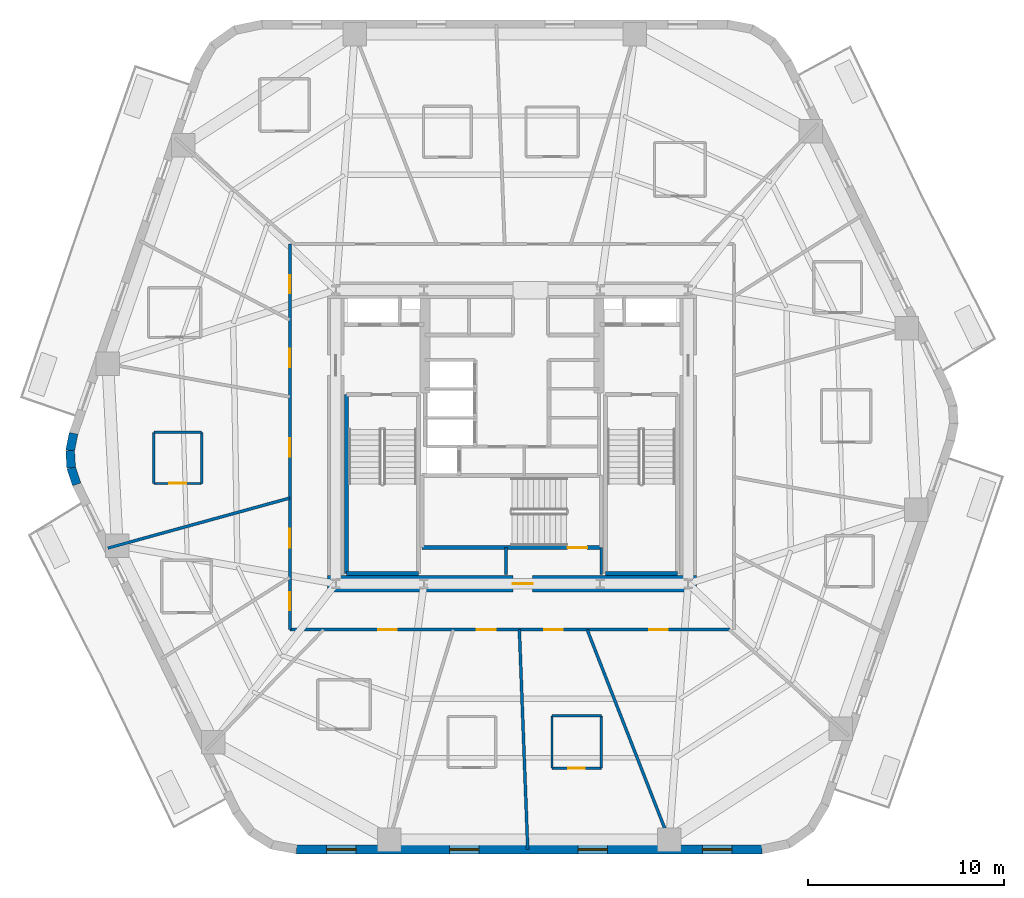
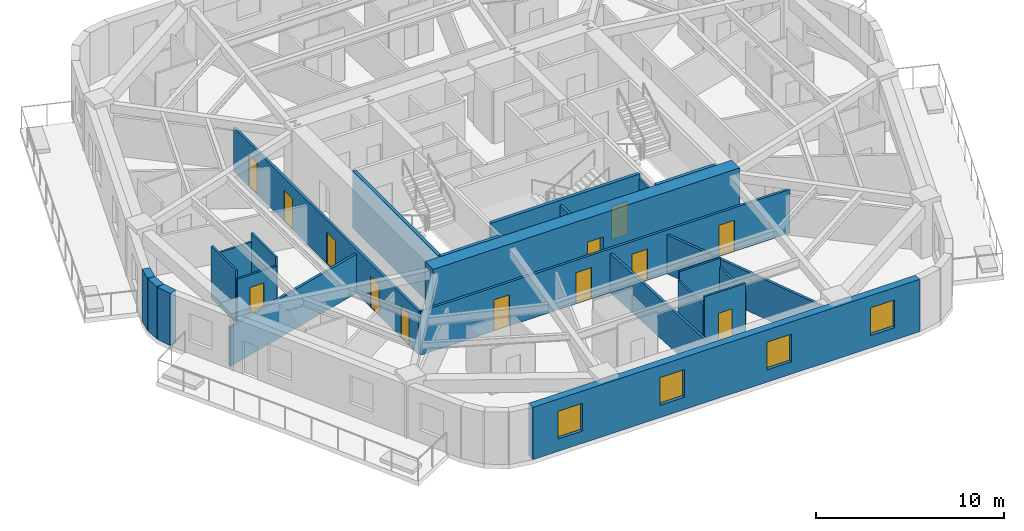
# One storey, part 3 of 10: 24 walls, 13 doors, 4 windows, 17 openings.
"""IFC4 building model written with IfcOpenShell, lengths in metres."""

from ifc_helpers import new_model, si_unit, direction, frame, frame_2d, origin, place, context, subcontext, project, spatial, rectangle, extrude, material, layer, layer_set, type_object, element, fill, save


model = new_model("IFC4")

# Units and contexts
model_context = context("Model", 3, precision=1e-05, world=origin(), true_north=direction((0.0, 1.0)))
body_context = subcontext(model_context, "Body", "Model", "MODEL_VIEW")
ifc_project = project(units=[si_unit("LENGTHUNIT", "METRE"), si_unit("AREAUNIT", "SQUARE_METRE"), si_unit("VOLUMEUNIT", "CUBIC_METRE"), si_unit("PLANEANGLEUNIT", "RADIAN"), si_unit("MASSUNIT", "GRAM", prefix="KILO")], contexts=[model_context])

# Site, building, storey
site_placement = place(None, origin())
site = spatial("IfcSite", under=ifc_project, at=site_placement, CompositionType="ELEMENT")
building_placement = place(site_placement, origin())
building = spatial("IfcBuilding", under=site, at=building_placement, Name="Kilnhurst Terrace Hotel", CompositionType="ELEMENT")
storey_placement = place(building_placement, frame((0.0, 0.0, 117.300048828125)))
storey = spatial("IfcBuildingStorey", under=building, at=storey_placement, Name="L28", CompositionType="ELEMENT", Elevation=117.300048828125)

# Walls
ifc_material_1 = material(Name="Precast concrete C40/50", Category="concrete")
ifc_layer_1 = layer(ifc_material_1, 0.449951171875, Name="Precast concrete C40/50")
ifc_layer_set_1 = layer_set([ifc_layer_1], Name="Precast concrete C40/50")
wall_type_1 = type_object("IfcWallType", Name="WL-BRK-450", PredefinedType="SOLIDWALL", material=ifc_layer_set_1)
wall_1_placement = place(storey_placement, frame((-22.39697265625, 0.17919921875, 0.0), z_axis=(0.0, 0.0, 1.0), x_axis=(-0.199313589404, -0.979935759669, 0.0)))
element("IfcWall", 1, at=wall_1_placement, inside=storey, type_object=wall_type_1, Name="L28 Rounded Corner Brick Wall C6.1", PredefinedType="SOLIDWALL", context=body_context, shape_type="SweptSolid", body=[
    extrude(rectangle(XDim=0.8955078125, YDim=0.449951171875, at=frame_2d((0.44775390625, 0.0))), origin(), (0.0, 0.0, 1.0), 3.39990234375),
])
wall_2_placement = place(storey_placement, frame((-22.575439453125, -0.6982421875, 0.0), z_axis=(0.0, 0.0, 1.0), x_axis=(0.060980441946, -0.998138961117, 0.0)))
element("IfcWall", 2, at=wall_2_placement, inside=storey, type_object=wall_type_1, Name="L28 Rounded Corner Brick Wall C6.2", PredefinedType="SOLIDWALL", context=body_context, shape_type="SweptSolid", body=[
    extrude(rectangle(XDim=0.880859375, YDim=0.449951171875, at=frame_2d((0.4404296875, 0.0))), origin(), (0.0, 0.0, 1.0), 3.39990234375),
])
wall_3_placement = place(storey_placement, frame((-22.521728515625, -1.577392578125, 0.0), z_axis=(0.0, 0.0, 1.0), x_axis=(0.317372694837, -0.948300887151, 0.0)))
element("IfcWall", 3, at=wall_3_placement, inside=storey, type_object=wall_type_1, Name="L28 Rounded Corner Brick Wall C6.3", PredefinedType="SOLIDWALL", context=body_context, shape_type="SweptSolid", body=[
    extrude(rectangle(XDim=0.8955078125, YDim=0.449951171875, at=frame_2d((0.44775390625, 0.0))), origin(), (0.0, 0.0, 1.0), 3.39990234375),
])

# Wall, openings, windows
wall_4_placement = place(storey_placement, frame((-11.011962890625, -21.074951171875, 0.0), z_axis=(0.0, 0.0, 1.0), x_axis=(1.0, 0.0, 0.0)))
wall_4 = element("IfcWall", 4, at=wall_4_placement, inside=storey, type_object=wall_type_1, Name="L28 Exterior Brick Facade Wall F1", PredefinedType="SOLIDWALL", context=body_context, shape_type="SweptSolid", body=[
    extrude(rectangle(XDim=23.782470703125, YDim=0.449951171875, at=frame_2d((11.89111328125, 0.0))), origin(), (0.0, 0.0, 1.0), 3.39990234375),
])
opening_1_placement = place(wall_4_placement, frame((1.5419921875, 0.0, 0.800048828125)))
opening_1 = element("IfcOpeningElement", 5, at=opening_1_placement, cuts=wall_4, Name="Opening W-02", PredefinedType="OPENING", context=body_context, shape_type="SweptSolid", body=[
    extrude(rectangle(XDim=1.5, YDim=1.800048828125, at=frame_2d((0.75, 0.89990234375))), frame((0.0, 0.23486328125, 0.0), z_axis=(0.0, -1.0, 0.0), x_axis=(1.0, 0.0, 0.0)), (0.0, 0.0, 1.0), 0.469970703125),
])
opening_2_placement = place(wall_4_placement, frame((7.820068359375, 0.0, 0.800048828125)))
opening_2 = element("IfcOpeningElement", 6, at=opening_2_placement, cuts=wall_4, Name="Opening W-02", PredefinedType="OPENING", context=body_context, shape_type="SweptSolid", body=[
    extrude(rectangle(XDim=1.5, YDim=1.800048828125, at=frame_2d((0.75, 0.89990234375))), frame((0.0, 0.23486328125, 0.0), z_axis=(0.0, -1.0, 0.0), x_axis=(1.0, 0.0, 0.0)), (0.0, 0.0, 1.0), 0.469970703125),
])
opening_3_placement = place(wall_4_placement, frame((14.387939453125, 0.0, 0.800048828125)))
opening_3 = element("IfcOpeningElement", 7, at=opening_3_placement, cuts=wall_4, Name="Opening W-02", PredefinedType="OPENING", context=body_context, shape_type="SweptSolid", body=[
    extrude(rectangle(XDim=1.5, YDim=1.800048828125, at=frame_2d((0.75, 0.89990234375))), frame((0.0, 0.23486328125, 0.0), z_axis=(0.0, -1.0, 0.0), x_axis=(1.0, 0.0, 0.0)), (0.0, 0.0, 1.0), 0.469970703125),
])
opening_4_placement = place(wall_4_placement, frame((20.740966796875, 0.0, 0.800048828125)))
opening_4 = element("IfcOpeningElement", 8, at=opening_4_placement, cuts=wall_4, Name="Opening W-02", PredefinedType="OPENING", context=body_context, shape_type="SweptSolid", body=[
    extrude(rectangle(XDim=1.5, YDim=1.800048828125, at=frame_2d((0.75, 0.89990234375))), frame((0.0, 0.23486328125, 0.0), z_axis=(0.0, -1.0, 0.0), x_axis=(1.0, 0.0, 0.0)), (0.0, 0.0, 1.0), 0.469970703125),
])
ifc_material_2 = material(Name="Thermally Broken Bronze Aluminium Alloy 6063-T6 and Low-E Glass", Category="aluminium")
window_type = type_object("IfcWindowType", Name="WIN-1500X1800", PartitioningType="SINGLE_PANEL", PredefinedType="WINDOW", material=ifc_material_2)
window_1_placement = place(opening_1_placement, origin())
window_1 = element("IfcWindow", 9, at=window_1_placement, inside=storey, type_object=window_type, Name="L28 Deep-Set Masonry Window F1.1", OverallHeight=1.800048828125, OverallWidth=1.5, PartitioningType="SINGLE_PANEL", PredefinedType="WINDOW", context=body_context, shape_type="SweptSolid", body=[
    extrude(rectangle(XDim=1.5, YDim=1.800048828125, at=frame_2d((0.75, 0.89990234375))), frame((0.0, 0.030029296875, 0.0), z_axis=(0.0, -1.0, 0.0), x_axis=(1.0, 0.0, 0.0)), (0.0, 0.0, 1.0), 0.06005859375),
])
fill(opening_1, window_1)
window_2_placement = place(opening_2_placement, origin())
window_2 = element("IfcWindow", 10, at=window_2_placement, inside=storey, type_object=window_type, Name="L28 Deep-Set Masonry Window F1.2", OverallHeight=1.800048828125, OverallWidth=1.5, PartitioningType="SINGLE_PANEL", PredefinedType="WINDOW", context=body_context, shape_type="SweptSolid", body=[
    extrude(rectangle(XDim=1.5, YDim=1.800048828125, at=frame_2d((0.75, 0.89990234375))), frame((0.0, 0.030029296875, 0.0), z_axis=(0.0, -1.0, 0.0), x_axis=(1.0, 0.0, 0.0)), (0.0, 0.0, 1.0), 0.06005859375),
])
fill(opening_2, window_2)
window_3_placement = place(opening_3_placement, origin())
window_3 = element("IfcWindow", 11, at=window_3_placement, inside=storey, type_object=window_type, Name="L28 Deep-Set Masonry Window F1.3", OverallHeight=1.800048828125, OverallWidth=1.5, PartitioningType="SINGLE_PANEL", PredefinedType="WINDOW", context=body_context, shape_type="SweptSolid", body=[
    extrude(rectangle(XDim=1.5, YDim=1.800048828125, at=frame_2d((0.75, 0.89990234375))), frame((0.0, 0.030029296875, 0.0), z_axis=(0.0, -1.0, 0.0), x_axis=(1.0, 0.0, 0.0)), (0.0, 0.0, 1.0), 0.06005859375),
])
fill(opening_3, window_3)
window_4_placement = place(opening_4_placement, origin())
window_4 = element("IfcWindow", 12, at=window_4_placement, inside=storey, type_object=window_type, Name="L28 Deep-Set Masonry Window F1.4", OverallHeight=1.800048828125, OverallWidth=1.5, PartitioningType="SINGLE_PANEL", PredefinedType="WINDOW", context=body_context, shape_type="SweptSolid", body=[
    extrude(rectangle(XDim=1.5, YDim=1.800048828125, at=frame_2d((0.75, 0.89990234375))), frame((0.0, 0.030029296875, 0.0), z_axis=(0.0, -1.0, 0.0), x_axis=(1.0, 0.0, 0.0)), (0.0, 0.0, 1.0), 0.06005859375),
])
fill(opening_4, window_4)

# Wall, openings, doors
ifc_material_3 = material(Name="Acoustic Double-Gypsum Corridor Partition Assembly")
ifc_layer_2 = layer(ifc_material_3, 0.14990234375, Name="Acoustic Double-Gypsum Corridor Partition Assembly")
ifc_layer_set_2 = layer_set([ifc_layer_2], Name="Acoustic Double-Gypsum Corridor Partition Assembly")
wall_type_2 = type_object("IfcWallType", Name="WL-COR-150", PredefinedType="PARTITIONING", material=ifc_layer_set_2)
wall_5_placement = place(storey_placement, frame((-11.35009765625, -9.85009765625, 0.0), z_axis=(0.0, 0.0, 1.0), x_axis=(0.0, 1.0, 0.0)))
wall_5 = element("IfcWall", 13, at=wall_5_placement, inside=storey, type_object=wall_type_2, Name="L28 Interior Wall WL-L28-COR-01", PredefinedType="PARTITIONING", context=body_context, shape_type="SweptSolid", body=[
    extrude(rectangle(XDim=19.7001953125, YDim=0.14990234375, at=frame_2d((9.85009765625, 0.0))), origin(), (0.0, 0.0, 1.0), 2.83984375),
])
opening_5_placement = place(wall_5_placement, frame((17.197021484375, 0.0, 0.0)))
opening_5 = element("IfcOpeningElement", 14, at=opening_5_placement, cuts=wall_5, Name="Opening D-60C", PredefinedType="OPENING", context=body_context, shape_type="SweptSolid", body=[
    extrude(rectangle(XDim=0.89990234375, YDim=2.030029296875, at=frame_2d((0.449951171875, 1.01513671875))), frame((0.0, 0.0849609375, 0.0), z_axis=(0.0, -1.0, 0.0), x_axis=(1.0, 0.0, 0.0)), (0.0, 0.0, 1.0), 0.169921875),
])
opening_6_placement = place(wall_5_placement, frame((13.407958984375, 0.0, 0.0)))
opening_6 = element("IfcOpeningElement", 15, at=opening_6_placement, cuts=wall_5, Name="Opening D-60B", PredefinedType="OPENING", context=body_context, shape_type="SweptSolid", body=[
    extrude(rectangle(XDim=0.949951171875, YDim=2.030029296875, at=frame_2d((0.47509765625, 1.01513671875))), frame((0.0, 0.0849609375, 0.0), z_axis=(0.0, -1.0, 0.0), x_axis=(1.0, 0.0, 0.0)), (0.0, 0.0, 1.0), 0.169921875),
])
opening_7_placement = place(wall_5_placement, frame((8.8359375, 0.0, 0.0)))
opening_7 = element("IfcOpeningElement", 16, at=opening_7_placement, cuts=wall_5, Name="Opening D-60B", PredefinedType="OPENING", context=body_context, shape_type="SweptSolid", body=[
    extrude(rectangle(XDim=0.949951171875, YDim=2.030029296875, at=frame_2d((0.47509765625, 1.01513671875))), frame((0.0, 0.0849609375, 0.0), z_axis=(0.0, -1.0, 0.0), x_axis=(1.0, 0.0, 0.0)), (0.0, 0.0, 1.0), 0.169921875),
])
opening_8_placement = place(wall_5_placement, frame((4.198974609375, 0.0, 0.0)))
opening_8 = element("IfcOpeningElement", 17, at=opening_8_placement, cuts=wall_5, Name="Opening D-60B", PredefinedType="OPENING", context=body_context, shape_type="SweptSolid", body=[
    extrude(rectangle(XDim=0.949951171875, YDim=2.030029296875, at=frame_2d((0.47509765625, 1.01513671875))), frame((0.0, 0.0849609375, 0.0), z_axis=(0.0, -1.0, 0.0), x_axis=(1.0, 0.0, 0.0)), (0.0, 0.0, 1.0), 0.169921875),
])
opening_9_placement = place(wall_5_placement, frame((1.001953125, 0.0, 0.0)))
opening_9 = element("IfcOpeningElement", 18, at=opening_9_placement, cuts=wall_5, Name="Opening D-60C", PredefinedType="OPENING", context=body_context, shape_type="SweptSolid", body=[
    extrude(rectangle(XDim=0.89990234375, YDim=2.030029296875, at=frame_2d((0.449951171875, 1.01513671875))), frame((0.0, 0.0849609375, 0.0), z_axis=(0.0, -1.0, 0.0), x_axis=(1.0, 0.0, 0.0)), (0.0, 0.0, 1.0), 0.169921875),
])
ifc_material_4 = material(Name="Painted Solid-Core Service Fire Door")
door_type_1 = type_object("IfcDoorType", Name="DR-FD60-900", OperationType="NOTDEFINED", PredefinedType="DOOR", material=ifc_material_4)
door_1_placement = place(opening_5_placement, origin())
door_1 = element("IfcDoor", 19, at=door_1_placement, inside=storey, type_object=door_type_1, Name="L28 Executive Work Office Door 7", OperationType="SINGLE_SWING_LEFT", OverallHeight=2.030029296875, OverallWidth=0.89990234375, PredefinedType="DOOR", context=body_context, shape_type="SweptSolid", body=[
    extrude(rectangle(XDim=0.89990234375, YDim=2.030029296875, at=frame_2d((0.449951171875, 1.01513671875))), frame((0.0, 0.02490234375, 0.0), z_axis=(0.0, -1.0, 0.0), x_axis=(1.0, 0.0, 0.0)), (0.0, 0.0, 1.0), 0.050048828125),
])
fill(opening_5, door_1)
door_2_placement = place(opening_9_placement, origin())
door_2 = element("IfcDoor", 20, at=door_2_placement, inside=storey, type_object=door_type_1, Name="L28 Botanical Reading Lounge Door 11", OperationType="SINGLE_SWING_LEFT", OverallHeight=2.030029296875, OverallWidth=0.89990234375, PredefinedType="DOOR", context=body_context, shape_type="SweptSolid", body=[
    extrude(rectangle(XDim=0.89990234375, YDim=2.030029296875, at=frame_2d((0.449951171875, 1.01513671875))), frame((0.0, 0.02490234375, 0.0), z_axis=(0.0, -1.0, 0.0), x_axis=(1.0, 0.0, 0.0)), (0.0, 0.0, 1.0), 0.050048828125),
])
fill(opening_9, door_2)
ifc_material_5 = material(Name="Acoustic Walnut Veneer Solid-Core Fire Door")
door_type_2 = type_object("IfcDoorType", Name="DR-FD60-950", OperationType="NOTDEFINED", PredefinedType="DOOR", material=ifc_material_5)
door_3_placement = place(opening_6_placement, origin())
door_3 = element("IfcDoor", 21, at=door_3_placement, inside=storey, type_object=door_type_2, Name="L28 Guest Room Entry Door 8", OperationType="SINGLE_SWING_RIGHT", OverallHeight=2.030029296875, OverallWidth=0.949951171875, PredefinedType="DOOR", context=body_context, shape_type="SweptSolid", body=[
    extrude(rectangle(XDim=0.949951171875, YDim=2.030029296875, at=frame_2d((0.47509765625, 1.01513671875))), frame((0.0, 0.02490234375, 0.0), z_axis=(0.0, -1.0, 0.0), x_axis=(1.0, 0.0, 0.0)), (0.0, 0.0, 1.0), 0.050048828125),
])
fill(opening_6, door_3)
door_4_placement = place(opening_7_placement, origin())
door_4 = element("IfcDoor", 22, at=door_4_placement, inside=storey, type_object=door_type_2, Name="L28 Executive Suite Entry Door 9", OperationType="SINGLE_SWING_LEFT", OverallHeight=2.030029296875, OverallWidth=0.949951171875, PredefinedType="DOOR", context=body_context, shape_type="SweptSolid", body=[
    extrude(rectangle(XDim=0.949951171875, YDim=2.030029296875, at=frame_2d((0.47509765625, 1.01513671875))), frame((0.0, 0.02490234375, 0.0), z_axis=(0.0, -1.0, 0.0), x_axis=(1.0, 0.0, 0.0)), (0.0, 0.0, 1.0), 0.050048828125),
])
fill(opening_7, door_4)
door_5_placement = place(opening_8_placement, origin())
door_5 = element("IfcDoor", 23, at=door_5_placement, inside=storey, type_object=door_type_2, Name="L28 Guest Room Entry Door 10", OperationType="SINGLE_SWING_RIGHT", OverallHeight=2.030029296875, OverallWidth=0.949951171875, PredefinedType="DOOR", context=body_context, shape_type="SweptSolid", body=[
    extrude(rectangle(XDim=0.949951171875, YDim=2.030029296875, at=frame_2d((0.47509765625, 1.01513671875))), frame((0.0, 0.02490234375, 0.0), z_axis=(0.0, -1.0, 0.0), x_axis=(1.0, 0.0, 0.0)), (0.0, 0.0, 1.0), 0.050048828125),
])
fill(opening_8, door_5)

wall_6_placement = place(storey_placement, frame((11.35009765625, -9.85009765625, 0.0), z_axis=(0.0, 0.0, 1.0), x_axis=(-1.0, 0.0, 0.0)))
wall_6 = element("IfcWall", 24, at=wall_6_placement, inside=storey, type_object=wall_type_2, Name="L28 Interior Wall WL-L28-COR-04", PredefinedType="PARTITIONING", context=body_context, shape_type="SweptSolid", body=[
    extrude(rectangle(XDim=22.7001953125, YDim=0.14990234375, at=frame_2d((11.35009765625, 0.0))), origin(), (0.0, 0.0, 1.0), 2.83984375),
])
opening_10_placement = place(wall_6_placement, frame((17.237060546875, 0.0, 0.0)))
opening_10 = element("IfcOpeningElement", 25, at=opening_10_placement, cuts=wall_6, Name="Opening D-60B", PredefinedType="OPENING", context=body_context, shape_type="SweptSolid", body=[
    extrude(rectangle(XDim=0.949951171875, YDim=2.030029296875, at=frame_2d((0.47509765625, 1.01513671875))), frame((0.0, 0.0849609375, 0.0), z_axis=(0.0, -1.0, 0.0), x_axis=(1.0, 0.0, 0.0)), (0.0, 0.0, 1.0), 0.169921875),
])
opening_11_placement = place(wall_6_placement, frame((12.19189453125, 0.0, 0.0)))
opening_11 = element("IfcOpeningElement", 26, at=opening_11_placement, cuts=wall_6, Name="Opening D-60B", PredefinedType="OPENING", context=body_context, shape_type="SweptSolid", body=[
    extrude(rectangle(XDim=0.949951171875, YDim=2.030029296875, at=frame_2d((0.47509765625, 1.01513671875))), frame((0.0, 0.0849609375, 0.0), z_axis=(0.0, -1.0, 0.0), x_axis=(1.0, 0.0, 0.0)), (0.0, 0.0, 1.0), 0.169921875),
])
opening_12_placement = place(wall_6_placement, frame((8.757080078125, 0.0, 0.0)))
opening_12 = element("IfcOpeningElement", 27, at=opening_12_placement, cuts=wall_6, Name="Opening D-60B", PredefinedType="OPENING", context=body_context, shape_type="SweptSolid", body=[
    extrude(rectangle(XDim=0.949951171875, YDim=2.030029296875, at=frame_2d((0.47509765625, 1.01513671875))), frame((0.0, 0.0849609375, 0.0), z_axis=(0.0, -1.0, 0.0), x_axis=(1.0, 0.0, 0.0)), (0.0, 0.0, 1.0), 0.169921875),
])
opening_13_placement = place(wall_6_placement, frame((3.39892578125, 0.0, 0.0)))
opening_13 = element("IfcOpeningElement", 28, at=opening_13_placement, cuts=wall_6, Name="Opening D-60B", PredefinedType="OPENING", context=body_context, shape_type="SweptSolid", body=[
    extrude(rectangle(XDim=0.949951171875, YDim=2.030029296875, at=frame_2d((0.47509765625, 1.01513671875))), frame((0.0, 0.0849609375, 0.0), z_axis=(0.0, -1.0, 0.0), x_axis=(1.0, 0.0, 0.0)), (0.0, 0.0, 1.0), 0.169921875),
])
door_6_placement = place(opening_10_placement, origin())
door_6 = element("IfcDoor", 29, at=door_6_placement, inside=storey, type_object=door_type_2, Name="L28 Executive Suite Entry Door 12", OperationType="SINGLE_SWING_RIGHT", OverallHeight=2.030029296875, OverallWidth=0.949951171875, PredefinedType="DOOR", context=body_context, shape_type="SweptSolid", body=[
    extrude(rectangle(XDim=0.949951171875, YDim=2.030029296875, at=frame_2d((0.47509765625, 1.01513671875))), frame((0.0, 0.02490234375, 0.0), z_axis=(0.0, -1.0, 0.0), x_axis=(1.0, 0.0, 0.0)), (0.0, 0.0, 1.0), 0.050048828125),
])
fill(opening_10, door_6)
door_7_placement = place(opening_11_placement, origin())
door_7 = element("IfcDoor", 30, at=door_7_placement, inside=storey, type_object=door_type_2, Name="L28 Guest Room Entry Door 13", OperationType="SINGLE_SWING_LEFT", OverallHeight=2.030029296875, OverallWidth=0.949951171875, PredefinedType="DOOR", context=body_context, shape_type="SweptSolid", body=[
    extrude(rectangle(XDim=0.949951171875, YDim=2.030029296875, at=frame_2d((0.47509765625, 1.01513671875))), frame((0.0, 0.02490234375, 0.0), z_axis=(0.0, -1.0, 0.0), x_axis=(1.0, 0.0, 0.0)), (0.0, 0.0, 1.0), 0.050048828125),
])
fill(opening_11, door_7)
door_8_placement = place(opening_12_placement, origin())
door_8 = element("IfcDoor", 31, at=door_8_placement, inside=storey, type_object=door_type_2, Name="L28 Guest Room Entry Door 14", OperationType="SINGLE_SWING_RIGHT", OverallHeight=2.030029296875, OverallWidth=0.949951171875, PredefinedType="DOOR", context=body_context, shape_type="SweptSolid", body=[
    extrude(rectangle(XDim=0.949951171875, YDim=2.030029296875, at=frame_2d((0.47509765625, 1.01513671875))), frame((0.0, 0.02490234375, 0.0), z_axis=(0.0, -1.0, 0.0), x_axis=(1.0, 0.0, 0.0)), (0.0, 0.0, 1.0), 0.050048828125),
])
fill(opening_12, door_8)
door_9_placement = place(opening_13_placement, origin())
door_9 = element("IfcDoor", 32, at=door_9_placement, inside=storey, type_object=door_type_2, Name="L28 Business Office Suite Door", OperationType="SINGLE_SWING_LEFT", OverallHeight=2.030029296875, OverallWidth=0.949951171875, PredefinedType="DOOR", context=body_context, shape_type="SweptSolid", body=[
    extrude(rectangle(XDim=0.949951171875, YDim=2.030029296875, at=frame_2d((0.47509765625, 1.01513671875))), frame((0.0, 0.02490234375, 0.0), z_axis=(0.0, -1.0, 0.0), x_axis=(1.0, 0.0, 0.0)), (0.0, 0.0, 1.0), 0.050048828125),
])
fill(opening_13, door_9)

# Wall, opening, door
ifc_material_6 = material(Name="Concrete C80/95", Category="concrete")
ifc_layer_3 = layer(ifc_material_6, 0.85009765625, Name="Concrete C80/95")
ifc_layer_set_3 = layer_set([ifc_layer_3], Name="Concrete C80/95")
wall_type_3 = type_object("IfcWallType", Name="WL-CORE-850", PredefinedType="SHEAR", material=ifc_layer_set_3)
wall_7_placement = place(storey_placement, frame((-9.425048828125, -7.5, 0.0), z_axis=(0.0, 0.0, 1.0), x_axis=(1.0, 0.0, 0.0)))
wall_7 = element("IfcWall", 33, at=wall_7_placement, inside=storey, type_object=wall_type_3, Name="L28 Core South Shear Wall", PredefinedType="SHEAR", context=body_context, shape_type="SweptSolid", body=[
    extrude(rectangle(XDim=18.85009765625, YDim=0.85009765625, at=frame_2d((9.425048828125, 0.0))), origin(), (0.0, 0.0, 1.0), 3.699951171875),
])
opening_14_placement = place(wall_7_placement, frame((9.47509765625, 0.0, 0.0)))
opening_14 = element("IfcOpeningElement", 34, at=opening_14_placement, cuts=wall_7, Name="Opening D-90B", PredefinedType="OPENING", context=body_context, shape_type="SweptSolid", body=[
    extrude(rectangle(XDim=1.0, YDim=2.14990234375, at=frame_2d((0.5, 1.074951171875))), frame((0.0, 0.43505859375, 0.0), z_axis=(0.0, -1.0, 0.0), x_axis=(1.0, 0.0, 0.0)), (0.0, 0.0, 1.0), 0.8701171875),
])
ifc_material_7 = material(Name="Painted Hollow Metal Steel ASTM A36 Fire Door", Category="steel")
door_type_3 = type_object("IfcDoorType", Name="DR-FD90-1000", OperationType="NOTDEFINED", PredefinedType="DOOR", material=ifc_material_7)
door_10_placement = place(opening_14_placement, origin())
door_10 = element("IfcDoor", 35, at=door_10_placement, inside=storey, type_object=door_type_3, Name="L28 Stair ST-3 Corridor Door", OperationType="SINGLE_SWING_RIGHT", OverallHeight=2.14990234375, OverallWidth=1.0, PredefinedType="DOOR", context=body_context, shape_type="SweptSolid", body=[
    extrude(rectangle(XDim=1.0, YDim=2.14990234375, at=frame_2d((0.5, 1.074951171875))), frame((0.0, 0.02490234375, 0.0), z_axis=(0.0, -1.0, 0.0), x_axis=(1.0, 0.0, 0.0)), (0.0, 0.0, 1.0), 0.050048828125),
])
fill(opening_14, door_10)

# Walls
ifc_material_8 = material(Name="STC-58 Acoustic Twin-Frame Guestroom Demising Partition")
ifc_layer_4 = layer(ifc_material_8, 0.14990234375, Name="STC-58 Acoustic Twin-Frame Guestroom Demising Partition")
ifc_layer_set_4 = layer_set([ifc_layer_4], Name="STC-58 Acoustic Twin-Frame Guestroom Demising Partition")
wall_type_4 = type_object("IfcWallType", Name="WL-DEM-150", PredefinedType="PARTITIONING", material=ifc_layer_set_4)
wall_8_placement = place(storey_placement, frame((-11.35009765625, -3.123291015625, 0.0), z_axis=(0.0, 0.0, 1.0), x_axis=(-0.964151983214, -0.265350623261, 0.0)))
element("IfcWall", 36, at=wall_8_placement, inside=storey, type_object=wall_type_4, Name="L28 Interior Wall WL-L28-DEM-COL07-10-1", PredefinedType="PARTITIONING", context=body_context, shape_type="SweptSolid", body=[
    extrude(rectangle(XDim=9.64501953125, YDim=0.14990234375, at=frame_2d((4.822509765625, 0.0))), origin(), (0.0, 0.0, 1.0), 2.5400390625),
])
wall_9_placement = place(storey_placement, frame((0.3759765625, -9.85009765625, 0.0), z_axis=(0.0, 0.0, 1.0), x_axis=(0.03812177869, -0.999273100804, 0.0)))
element("IfcWall", 37, at=wall_9_placement, inside=storey, type_object=wall_type_4, Name="L28 Interior Wall WL-L28-DEM-MID09-14-1", PredefinedType="PARTITIONING", context=body_context, shape_type="SweptSolid", body=[
    extrude(rectangle(XDim=11.23291015625, YDim=0.14990234375, at=frame_2d((5.616455078125, 0.0))), origin(), (0.0, 0.0, 1.0), 2.5400390625),
])
wall_10_placement = place(storey_placement, frame((3.84228515625, -9.85009765625, 0.0), z_axis=(0.0, 0.0, 1.0), x_axis=(0.363432685593, -0.931620460833, 0.0)))
element("IfcWall", 38, at=wall_10_placement, inside=storey, type_object=wall_type_4, Name="L28 Interior Wall WL-L28-DEM-COL10-15-1", PredefinedType="PARTITIONING", context=body_context, shape_type="SweptSolid", body=[
    extrude(rectangle(XDim=12.048828125, YDim=0.14990234375, at=frame_2d((6.0244140625, 0.0))), origin(), (0.0, 0.0, 1.0), 2.5400390625),
])

# Wall, opening, door
ifc_material_9 = material(Name="120 mm Moisture-Resistant Tile-Backed Bathroom Partition")
ifc_layer_5 = layer(ifc_material_9, 0.1201171875, Name="120 mm Moisture-Resistant Tile-Backed Bathroom Partition")
ifc_layer_set_5 = layer_set([ifc_layer_5], Name="120 mm Moisture-Resistant Tile-Backed Bathroom Partition")
wall_type_5 = type_object("IfcWallType", Name="WL-PART-120", PredefinedType="PARTITIONING", material=ifc_layer_set_5)
wall_11_placement = place(storey_placement, frame((-18.294921875, -2.37890625, 0.0), z_axis=(0.0, 0.0, 1.0), x_axis=(1.0, 0.0, 0.0)))
wall_11 = element("IfcWall", 39, at=wall_11_placement, inside=storey, type_object=wall_type_5, Name="L28 Interior Wall WL-L28-BTH-09-1", PredefinedType="PARTITIONING", context=body_context, shape_type="SweptSolid", body=[
    extrude(rectangle(XDim=2.43994140625, YDim=0.1201171875, at=frame_2d((1.219970703125, 0.0))), origin(), (0.0, 0.0, 1.0), 2.84033203125),
])
opening_15_placement = place(wall_11_placement, frame((0.794921875, 0.0, 0.0)))
opening_15 = element("IfcOpeningElement", 40, at=opening_15_placement, cuts=wall_11, Name="Opening D-08A", PredefinedType="OPENING", context=body_context, shape_type="SweptSolid", body=[
    extrude(rectangle(XDim=0.85009765625, YDim=2.030029296875, at=frame_2d((0.425048828125, 1.01513671875))), frame((0.0, 0.070068359375, 0.0), z_axis=(0.0, -1.0, 0.0), x_axis=(1.0, 0.0, 0.0)), (0.0, 0.0, 1.0), 0.14013671875),
])
ifc_material_10 = material(Name="Moisture-Resistant Lacquered En-suite Bathroom Door")
door_type_4 = type_object("IfcDoorType", Name="DR-INT-850", OperationType="NOTDEFINED", PredefinedType="DOOR", material=ifc_material_10)
door_11_placement = place(opening_15_placement, origin())
door_11 = element("IfcDoor", 41, at=door_11_placement, inside=storey, type_object=door_type_4, Name="L28 En-suite Bathroom Door 9", OperationType="SINGLE_SWING_RIGHT", OverallHeight=2.030029296875, OverallWidth=0.85009765625, PredefinedType="DOOR", context=body_context, shape_type="SweptSolid", body=[
    extrude(rectangle(XDim=0.85009765625, YDim=2.030029296875, at=frame_2d((0.425048828125, 1.01513671875))), frame((0.0, 0.02490234375, 0.0), z_axis=(0.0, -1.0, 0.0), x_axis=(1.0, 0.0, 0.0)), (0.0, 0.0, 1.0), 0.050048828125),
])
fill(opening_15, door_11)

# Walls
wall_12_placement = place(storey_placement, frame((-15.85498046875, -2.37890625, 0.0), z_axis=(0.0, 0.0, 1.0), x_axis=(0.0, 1.0, 0.0)))
element("IfcWall", 42, at=wall_12_placement, inside=storey, type_object=wall_type_5, Name="L28 Interior Wall WL-L28-BTH-09-2", PredefinedType="PARTITIONING", context=body_context, shape_type="SweptSolid", body=[
    extrude(rectangle(XDim=2.60986328125, YDim=0.1201171875, at=frame_2d((1.304931640625, 0.0))), origin(), (0.0, 0.0, 1.0), 3.39990234375),
])
wall_13_placement = place(storey_placement, frame((-15.85498046875, 0.23095703125, 0.0), z_axis=(0.0, 0.0, 1.0), x_axis=(-1.0, 0.0, 0.0)))
element("IfcWall", 43, at=wall_13_placement, inside=storey, type_object=wall_type_5, Name="L28 Interior Wall WL-L28-BTH-09-3", PredefinedType="PARTITIONING", context=body_context, shape_type="SweptSolid", body=[
    extrude(rectangle(XDim=2.43994140625, YDim=0.1201171875, at=frame_2d((1.219970703125, 0.0))), origin(), (0.0, 0.0, 1.0), 2.84033203125),
])
wall_14_placement = place(storey_placement, frame((-18.294921875, 0.23095703125, 0.0), z_axis=(0.0, 0.0, 1.0), x_axis=(0.0, -1.0, 0.0)))
element("IfcWall", 44, at=wall_14_placement, inside=storey, type_object=wall_type_5, Name="L28 Interior Wall WL-L28-BTH-09-4", PredefinedType="PARTITIONING", context=body_context, shape_type="SweptSolid", body=[
    extrude(rectangle(XDim=2.60986328125, YDim=0.1201171875, at=frame_2d((1.304931640625, 0.0))), origin(), (0.0, 0.0, 1.0), 3.39990234375),
])

# Wall, opening, door
wall_15_placement = place(storey_placement, frame((2.0400390625, -16.927001953125, 0.0), z_axis=(0.0, 0.0, 1.0), x_axis=(1.0, 0.0, 0.0)))
wall_15 = element("IfcWall", 45, at=wall_15_placement, inside=storey, type_object=wall_type_5, Name="L28 Interior Wall WL-L28-BTH-14-1", PredefinedType="PARTITIONING", context=body_context, shape_type="SweptSolid", body=[
    extrude(rectangle(XDim=2.52001953125, YDim=0.1201171875, at=frame_2d((1.260009765625, 0.0))), origin(), (0.0, 0.0, 1.0), 3.39990234375),
])
opening_16_placement = place(wall_15_placement, frame((0.8349609375, 0.0, 0.0)))
opening_16 = element("IfcOpeningElement", 46, at=opening_16_placement, cuts=wall_15, Name="Opening D-08A", PredefinedType="OPENING", context=body_context, shape_type="SweptSolid", body=[
    extrude(rectangle(XDim=0.85009765625, YDim=2.030029296875, at=frame_2d((0.425048828125, 1.01513671875))), frame((0.0, 0.070068359375, 0.0), z_axis=(0.0, -1.0, 0.0), x_axis=(1.0, 0.0, 0.0)), (0.0, 0.0, 1.0), 0.14013671875),
])
door_12_placement = place(opening_16_placement, origin())
door_12 = element("IfcDoor", 47, at=door_12_placement, inside=storey, type_object=door_type_4, Name="L28 En-suite Bathroom Door 14", OperationType="SINGLE_SWING_LEFT", OverallHeight=2.030029296875, OverallWidth=0.85009765625, PredefinedType="DOOR", context=body_context, shape_type="SweptSolid", body=[
    extrude(rectangle(XDim=0.85009765625, YDim=2.030029296875, at=frame_2d((0.425048828125, 1.01513671875))), frame((0.0, 0.02490234375, 0.0), z_axis=(0.0, -1.0, 0.0), x_axis=(1.0, 0.0, 0.0)), (0.0, 0.0, 1.0), 0.050048828125),
])
fill(opening_16, door_12)

# Walls
wall_16_placement = place(storey_placement, frame((4.56005859375, -16.927001953125, 0.0), z_axis=(0.0, 0.0, 1.0), x_axis=(0.0, 1.0, 0.0)))
element("IfcWall", 48, at=wall_16_placement, inside=storey, type_object=wall_type_5, Name="L28 Interior Wall WL-L28-BTH-14-2", PredefinedType="PARTITIONING", context=body_context, shape_type="SweptSolid", body=[
    extrude(rectangle(XDim=2.679931640625, YDim=0.1201171875, at=frame_2d((1.33984375, 0.0))), origin(), (0.0, 0.0, 1.0), 2.84033203125),
])
wall_17_placement = place(storey_placement, frame((4.56005859375, -14.2470703125, 0.0), z_axis=(0.0, 0.0, 1.0), x_axis=(-1.0, 0.0, 0.0)))
element("IfcWall", 49, at=wall_17_placement, inside=storey, type_object=wall_type_5, Name="L28 Interior Wall WL-L28-BTH-14-3", PredefinedType="PARTITIONING", context=body_context, shape_type="SweptSolid", body=[
    extrude(rectangle(XDim=2.52001953125, YDim=0.1201171875, at=frame_2d((1.260009765625, 0.0))), origin(), (0.0, 0.0, 1.0), 3.39990234375),
])
wall_18_placement = place(storey_placement, frame((2.0400390625, -14.2470703125, 0.0), z_axis=(0.0, 0.0, 1.0), x_axis=(0.0, -1.0, 0.0)))
element("IfcWall", 50, at=wall_18_placement, inside=storey, type_object=wall_type_5, Name="L28 Interior Wall WL-L28-BTH-14-4", PredefinedType="PARTITIONING", context=body_context, shape_type="SweptSolid", body=[
    extrude(rectangle(XDim=2.679931640625, YDim=0.1201171875, at=frame_2d((1.33984375, 0.0))), origin(), (0.0, 0.0, 1.0), 2.84033203125),
])
ifc_material_11 = material(Name="Fire-Rated Gypsum Shaftliner Assembly")
ifc_layer_6 = layer(ifc_material_11, 0.14990234375, Name="Fire-Rated Gypsum Shaftliner Assembly")
ifc_layer_set_6 = layer_set([ifc_layer_6], Name="Fire-Rated Gypsum Shaftliner Assembly")
wall_type_6 = type_object("IfcWallType", Name="WL-SHAFT-150", PredefinedType="PARTITIONING", material=ifc_layer_set_6)
for number, where, z_axis, x_axis, name in (
    (51, (-0.300048828125, -7.02001953125, 0.0), (0.0, 0.0, 1.0), (0.0, 1.0, 0.0), "L28 Interior Wall WL-L28-ST3-PSGW"),
    (52, (4.55810546875, -7.02001953125, 0.0), (0.0, 0.0, 1.0), (0.0, 1.0, 0.0), "L28 Interior Wall WL-L28-ST3-PSGE"),
):
    element("IfcWall", number, at=place(storey_placement, frame(where, z_axis=z_axis, x_axis=x_axis)), inside=storey, type_object=wall_type_6, Name=name, PredefinedType="PARTITIONING", context=body_context, shape_type="SweptSolid", body=[
        extrude(rectangle(XDim=1.362060546875, YDim=0.14990234375, at=frame_2d((0.68115234375, 0.0))), origin(), (0.0, 0.0, 1.0), 3.39990234375),
    ])
ifc_material_12 = material(Name="Concrete C50/60", Category="concrete")
ifc_layer_7 = layer(ifc_material_12, 0.199951171875, Name="Concrete C50/60")
ifc_layer_set_7 = layer_set([ifc_layer_7], Name="Concrete C50/60")
wall_type_7 = type_object("IfcWallType", Name="WL-STAIR-RC-200", PredefinedType="SHEAR", material=ifc_layer_set_7)
wall_19_placement = place(storey_placement, frame((-8.4580078125, -6.985107421875, 0.0), z_axis=(0.0, 0.0, 1.0), x_axis=(0.0, 1.0, 0.0)))
element("IfcWall", 53, at=wall_19_placement, inside=storey, type_object=wall_type_7, Name="L28 Structural Stair Shaft Wall WL-L28-ST1-W", PredefinedType="SHEAR", context=body_context, shape_type="SweptSolid", body=[
    extrude(rectangle(XDim=9.14306640625, YDim=0.199951171875, at=frame_2d((4.571533203125, 0.0))), origin(), (0.0, 0.0, 1.0), 3.699951171875),
])
for number, where, z_axis, x_axis, name in (
    (54, (-8.4580078125, -6.985107421875, 0.0), (0.0, 0.0, 1.0), (1.0, 0.0, 0.0), "L28 Structural Stair Shaft Wall WL-L28-ST1-S"),
    (55, (4.77197265625, -6.985107421875, 0.0), (0.0, 0.0, 1.0), (1.0, 0.0, 0.0), "L28 Structural Stair Shaft Wall WL-L28-ST2-S"),
):
    element("IfcWall", number, at=place(storey_placement, frame(where, z_axis=z_axis, x_axis=x_axis)), inside=storey, type_object=wall_type_7, Name=name, PredefinedType="SHEAR", context=body_context, shape_type="SweptSolid", body=[
        extrude(rectangle(XDim=3.68603515625, YDim=0.199951171875, at=frame_2d((1.843017578125, 0.0))), origin(), (0.0, 0.0, 1.0), 3.699951171875),
    ])

# Wall, opening, door
wall_20_placement = place(storey_placement, frame((-4.60791015625, -5.657958984375, 0.0), z_axis=(0.0, 0.0, 1.0), x_axis=(1.0, 0.0, 0.0)))
wall_20 = element("IfcWall", 56, at=wall_20_placement, inside=storey, type_object=wall_type_7, Name="L28 Structural Stair Shaft Wall WL-L28-ST3-S", PredefinedType="SHEAR", context=body_context, shape_type="SweptSolid", body=[
    extrude(rectangle(XDim=9.166015625, YDim=0.199951171875, at=frame_2d((4.5830078125, 0.0))), origin(), (0.0, 0.0, 1.0), 3.699951171875),
])
opening_17_placement = place(wall_20_placement, frame((7.449951171875, 0.0, 0.0)))
opening_17 = element("IfcOpeningElement", 57, at=opening_17_placement, cuts=wall_20, Name="Opening D-90B", PredefinedType="OPENING", context=body_context, shape_type="SweptSolid", body=[
    extrude(rectangle(XDim=1.0, YDim=2.14990234375, at=frame_2d((0.5, 1.074951171875))), frame((0.0, 0.10986328125, 0.0), z_axis=(0.0, -1.0, 0.0), x_axis=(1.0, 0.0, 0.0)), (0.0, 0.0, 1.0), 0.219970703125),
])
door_13_placement = place(opening_17_placement, origin())
door_13 = element("IfcDoor", 58, at=door_13_placement, inside=storey, type_object=door_type_3, Name="L28 Stair ST-3 Shaft Door", OperationType="SINGLE_SWING_LEFT", OverallHeight=2.14990234375, OverallWidth=1.0, PredefinedType="DOOR", context=body_context, shape_type="SweptSolid", body=[
    extrude(rectangle(XDim=1.0, YDim=2.14990234375, at=frame_2d((0.5, 1.074951171875))), frame((0.0, 0.02490234375, 0.0), z_axis=(0.0, -1.0, 0.0), x_axis=(1.0, 0.0, 0.0)), (0.0, 0.0, 1.0), 0.050048828125),
])
fill(opening_17, door_13)

save(model, "model.ifc")
